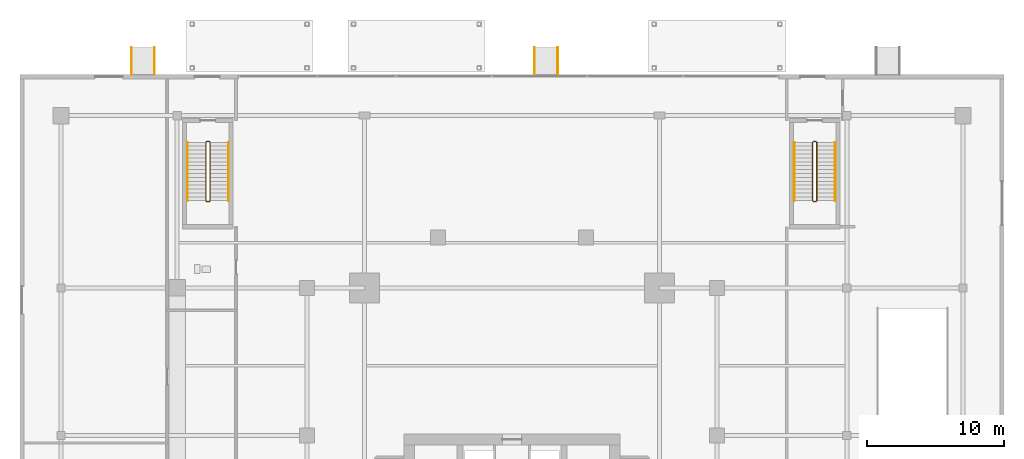
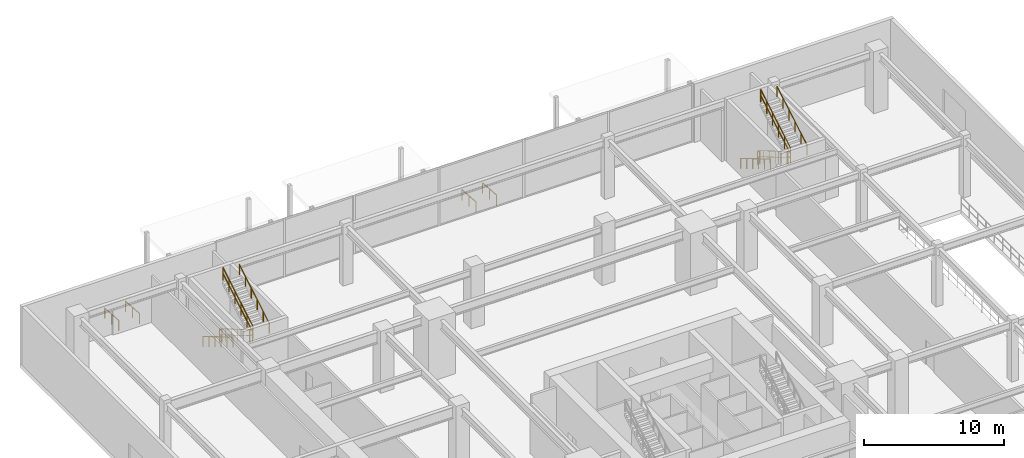
# One storey, part 25 of 28: 16 railings.
"""IFC4 building model written with IfcOpenShell, lengths in metres."""

from ifc_helpers import new_model, si_unit, direction, frame, origin, origin_2d, place, context, subcontext, project, spatial, circle, extrude, material, layer, layer_set, type_object, element, save


model = new_model("IFC4")

# Units and contexts
model_context = context("Model", 3, precision=1e-05, world=origin(), true_north=direction((0.0, 1.0)))
body_context = subcontext(model_context, "Body", "Model", "MODEL_VIEW")
ifc_project = project(units=[si_unit("LENGTHUNIT", "METRE"), si_unit("AREAUNIT", "SQUARE_METRE"), si_unit("VOLUMEUNIT", "CUBIC_METRE"), si_unit("PLANEANGLEUNIT", "RADIAN"), si_unit("MASSUNIT", "GRAM", prefix="KILO")], contexts=[model_context])

# Site, building, storey
site_placement = place(None, origin())
site = spatial("IfcSite", under=ifc_project, at=site_placement, CompositionType="ELEMENT")
building_placement = place(site_placement, origin())
building = spatial("IfcBuilding", under=site, at=building_placement, Name="Krantzveldt Concourse Tower", CompositionType="ELEMENT")
storey_placement = place(building_placement, origin())
storey = spatial("IfcBuildingStorey", under=building, at=storey_placement, Name="L00", CompositionType="ELEMENT", Elevation=0.0)

# Railings
ifc_material = material(Name="Stainless steel 316L", Category="steel")
ifc_layer_1 = layer(ifc_material, 0.06005859375, Name="Stainless steel 316L", Category="steel")
ifc_layer_set_1 = layer_set([ifc_layer_1], Name="Stainless steel 316L (RL-GUARD-1120)")
railing_type_1 = type_object("IfcRailingType", Name="RL-GUARD-1120", PredefinedType="GUARDRAIL", material=ifc_layer_set_1)
railing_1_placement = place(storey_placement, frame((13.60009765625, 48.14990234375, 0.168701171875)))
element("IfcRailing", 1, at=railing_1_placement, inside=storey, type_object=railing_type_1, Name="L00 ST-3 stair guard 1", PredefinedType="GUARDRAIL", context=body_context, shape_type="SweptSolid", body=[
    extrude(circle(Radius=0.02392578125, at=origin_2d()), frame((0.0, 0.0, 1.076171875), z_axis=(0.0, -0.860470286479, 0.509500624227), x_axis=(1.0, 0.0, 0.0)), (0.0, 0.0, 1.0), 4.968017578125),
    extrude(circle(Radius=0.02392578125, at=origin_2d()), frame((0.0, 0.0, 0.550048828125), z_axis=(0.0, -0.860470286479, 0.509500624227), x_axis=(1.0, 0.0, 0.0)), (0.0, 0.0, 1.0), 4.968017578125),
    extrude(circle(Radius=0.02099609375, at=origin_2d()), origin(), (0.0, 0.0, 1.0), 1.052001953125),
    extrude(circle(Radius=0.02099609375, at=origin_2d()), frame((0.0, -0.85498046875, 0.50634765625)), (0.0, 0.0, 1.0), 1.052001953125),
    extrude(circle(Radius=0.02099609375, at=origin_2d()), frame((0.0, -1.7099609375, 1.012451171875)), (0.0, 0.0, 1.0), 1.052001953125),
    extrude(circle(Radius=0.02099609375, at=origin_2d()), frame((0.0, -2.56494140625, 1.518798828125)), (0.0, 0.0, 1.0), 1.052001953125),
    extrude(circle(Radius=0.02099609375, at=origin_2d()), frame((0.0, -3.419921875, 2.02490234375)), (0.0, 0.0, 1.0), 1.052001953125),
    extrude(circle(Radius=0.02099609375, at=origin_2d()), frame((0.0, -4.27490234375, 2.53125)), (0.0, 0.0, 1.0), 1.052001953125),
])
railing_2_placement = place(storey_placement, frame((13.64990234375, 43.824951171875, 2.699951171875)))
element("IfcRailing", 2, at=railing_2_placement, inside=storey, type_object=railing_type_1, Name="L00 ST-3 stair guard 2", PredefinedType="GUARDRAIL", context=body_context, shape_type="SweptSolid", body=[
    extrude(circle(Radius=0.02392578125, at=origin_2d()), frame((0.0, 0.0, 1.076171875), z_axis=(1.0, 0.0, 0.0), x_axis=(0.0, 1.0, 0.0)), (0.0, 0.0, 1.0), 0.2001953125),
    extrude(circle(Radius=0.02392578125, at=origin_2d()), frame((0.0, 0.0, 0.550048828125), z_axis=(1.0, 0.0, 0.0), x_axis=(0.0, 1.0, 0.0)), (0.0, 0.0, 1.0), 0.2001953125),
    extrude(circle(Radius=0.02099609375, at=origin_2d()), origin(), (0.0, 0.0, 1.0), 1.052001953125),
    extrude(circle(Radius=0.02099609375, at=origin_2d()), frame((0.2001953125, 0.0, 0.0)), (0.0, 0.0, 1.0), 1.052001953125),
])
railing_3_placement = place(storey_placement, frame((13.89990234375, 43.875, 2.86865234375)))
element("IfcRailing", 3, at=railing_3_placement, inside=storey, type_object=railing_type_1, Name="L00 ST-3 stair guard 3", PredefinedType="GUARDRAIL", context=body_context, shape_type="SweptSolid", body=[
    extrude(circle(Radius=0.02392578125, at=origin_2d()), frame((0.0, 0.0, 1.076171875), z_axis=(0.0, 0.860470286479, 0.509500624227), x_axis=(-1.0, 0.0, 0.0)), (0.0, 0.0, 1.0), 4.968017578125),
    extrude(circle(Radius=0.02392578125, at=origin_2d()), frame((0.0, 0.0, 0.550048828125), z_axis=(0.0, 0.860470286479, 0.509500624227), x_axis=(-1.0, 0.0, 0.0)), (0.0, 0.0, 1.0), 4.968017578125),
    extrude(circle(Radius=0.02099609375, at=origin_2d()), origin(), (0.0, 0.0, 1.0), 1.052001953125),
    extrude(circle(Radius=0.02099609375, at=origin_2d()), frame((0.0, 0.85498046875, 0.50634765625)), (0.0, 0.0, 1.0), 1.052001953125),
    extrude(circle(Radius=0.02099609375, at=origin_2d()), frame((0.0, 1.7099609375, 1.012451171875)), (0.0, 0.0, 1.0), 1.052001953125),
    extrude(circle(Radius=0.02099609375, at=origin_2d()), frame((0.0, 2.56494140625, 1.518798828125)), (0.0, 0.0, 1.0), 1.052001953125),
    extrude(circle(Radius=0.02099609375, at=origin_2d()), frame((0.0, 3.419921875, 2.02490234375)), (0.0, 0.0, 1.0), 1.052001953125),
    extrude(circle(Radius=0.02099609375, at=origin_2d()), frame((0.0, 4.27490234375, 2.53125)), (0.0, 0.0, 1.0), 1.052001953125),
])
railing_4_placement = place(storey_placement, frame((13.64990234375, 48.199951171875, 0.0)))
element("IfcRailing", 4, at=railing_4_placement, inside=storey, type_object=railing_type_1, Name="L00 ST-3 stair guard 4", PredefinedType="GUARDRAIL", context=body_context, shape_type="SweptSolid", body=[
    extrude(circle(Radius=0.02392578125, at=origin_2d()), frame((0.0, 0.0, 1.076171875), z_axis=(1.0, 0.0, 0.0), x_axis=(0.0, 1.0, 0.0)), (0.0, 0.0, 1.0), 0.2001953125),
    extrude(circle(Radius=0.02392578125, at=origin_2d()), frame((0.0, 0.0, 0.550048828125), z_axis=(1.0, 0.0, 0.0), x_axis=(0.0, 1.0, 0.0)), (0.0, 0.0, 1.0), 0.2001953125),
    extrude(circle(Radius=0.02099609375, at=origin_2d()), origin(), (0.0, 0.0, 1.0), 1.052001953125),
    extrude(circle(Radius=0.02099609375, at=origin_2d()), frame((0.2001953125, 0.0, 0.0)), (0.0, 0.0, 1.0), 1.052001953125),
])
railing_5_placement = place(storey_placement, frame((58.0, 48.14990234375, 0.168701171875)))
element("IfcRailing", 5, at=railing_5_placement, inside=storey, type_object=railing_type_1, Name="L00 ST-4 stair guard 1", PredefinedType="GUARDRAIL", context=body_context, shape_type="SweptSolid", body=[
    extrude(circle(Radius=0.02392578125, at=origin_2d()), frame((0.0, 0.0, 1.076171875), z_axis=(0.0, -0.860470286479, 0.509500624227), x_axis=(1.0, 0.0, 0.0)), (0.0, 0.0, 1.0), 4.968017578125),
    extrude(circle(Radius=0.02392578125, at=origin_2d()), frame((0.0, 0.0, 0.550048828125), z_axis=(0.0, -0.860470286479, 0.509500624227), x_axis=(1.0, 0.0, 0.0)), (0.0, 0.0, 1.0), 4.968017578125),
    extrude(circle(Radius=0.02099609375, at=origin_2d()), origin(), (0.0, 0.0, 1.0), 1.052001953125),
    extrude(circle(Radius=0.02099609375, at=origin_2d()), frame((0.0, -0.85498046875, 0.50634765625)), (0.0, 0.0, 1.0), 1.052001953125),
    extrude(circle(Radius=0.02099609375, at=origin_2d()), frame((0.0, -1.7099609375, 1.012451171875)), (0.0, 0.0, 1.0), 1.052001953125),
    extrude(circle(Radius=0.02099609375, at=origin_2d()), frame((0.0, -2.56494140625, 1.518798828125)), (0.0, 0.0, 1.0), 1.052001953125),
    extrude(circle(Radius=0.02099609375, at=origin_2d()), frame((0.0, -3.419921875, 2.02490234375)), (0.0, 0.0, 1.0), 1.052001953125),
    extrude(circle(Radius=0.02099609375, at=origin_2d()), frame((0.0, -4.27490234375, 2.53125)), (0.0, 0.0, 1.0), 1.052001953125),
])
railing_6_placement = place(storey_placement, frame((58.050048828125, 43.824951171875, 2.699951171875)))
element("IfcRailing", 6, at=railing_6_placement, inside=storey, type_object=railing_type_1, Name="L00 ST-4 stair guard 2", PredefinedType="GUARDRAIL", context=body_context, shape_type="SweptSolid", body=[
    extrude(circle(Radius=0.02392578125, at=origin_2d()), frame((0.0, 0.0, 1.076171875), z_axis=(1.0, 0.0, 0.0), x_axis=(0.0, 1.0, 0.0)), (0.0, 0.0, 1.0), 0.199951171875),
    extrude(circle(Radius=0.02392578125, at=origin_2d()), frame((0.0, 0.0, 0.550048828125), z_axis=(1.0, 0.0, 0.0), x_axis=(0.0, 1.0, 0.0)), (0.0, 0.0, 1.0), 0.199951171875),
    extrude(circle(Radius=0.02099609375, at=origin_2d()), origin(), (0.0, 0.0, 1.0), 1.052001953125),
    extrude(circle(Radius=0.02099609375, at=origin_2d()), frame((0.199951171875, 0.0, 0.0)), (0.0, 0.0, 1.0), 1.052001953125),
])
railing_7_placement = place(storey_placement, frame((58.300048828125, 43.875, 2.86865234375)))
element("IfcRailing", 7, at=railing_7_placement, inside=storey, type_object=railing_type_1, Name="L00 ST-4 stair guard 3", PredefinedType="GUARDRAIL", context=body_context, shape_type="SweptSolid", body=[
    extrude(circle(Radius=0.02392578125, at=origin_2d()), frame((0.0, 0.0, 1.076171875), z_axis=(0.0, 0.860470286479, 0.509500624227), x_axis=(-1.0, 0.0, 0.0)), (0.0, 0.0, 1.0), 4.968017578125),
    extrude(circle(Radius=0.02392578125, at=origin_2d()), frame((0.0, 0.0, 0.550048828125), z_axis=(0.0, 0.860470286479, 0.509500624227), x_axis=(-1.0, 0.0, 0.0)), (0.0, 0.0, 1.0), 4.968017578125),
    extrude(circle(Radius=0.02099609375, at=origin_2d()), origin(), (0.0, 0.0, 1.0), 1.052001953125),
    extrude(circle(Radius=0.02099609375, at=origin_2d()), frame((0.0, 0.85498046875, 0.50634765625)), (0.0, 0.0, 1.0), 1.052001953125),
    extrude(circle(Radius=0.02099609375, at=origin_2d()), frame((0.0, 1.7099609375, 1.012451171875)), (0.0, 0.0, 1.0), 1.052001953125),
    extrude(circle(Radius=0.02099609375, at=origin_2d()), frame((0.0, 2.56494140625, 1.518798828125)), (0.0, 0.0, 1.0), 1.052001953125),
    extrude(circle(Radius=0.02099609375, at=origin_2d()), frame((0.0, 3.419921875, 2.02490234375)), (0.0, 0.0, 1.0), 1.052001953125),
    extrude(circle(Radius=0.02099609375, at=origin_2d()), frame((0.0, 4.27490234375, 2.53125)), (0.0, 0.0, 1.0), 1.052001953125),
])
railing_8_placement = place(storey_placement, frame((58.050048828125, 48.199951171875, 0.0)))
element("IfcRailing", 8, at=railing_8_placement, inside=storey, type_object=railing_type_1, Name="L00 ST-4 stair guard 4", PredefinedType="GUARDRAIL", context=body_context, shape_type="SweptSolid", body=[
    extrude(circle(Radius=0.02392578125, at=origin_2d()), frame((0.0, 0.0, 1.076171875), z_axis=(1.0, 0.0, 0.0), x_axis=(0.0, 1.0, 0.0)), (0.0, 0.0, 1.0), 0.199951171875),
    extrude(circle(Radius=0.02392578125, at=origin_2d()), frame((0.0, 0.0, 0.550048828125), z_axis=(1.0, 0.0, 0.0), x_axis=(0.0, 1.0, 0.0)), (0.0, 0.0, 1.0), 0.199951171875),
    extrude(circle(Radius=0.02099609375, at=origin_2d()), origin(), (0.0, 0.0, 1.0), 1.052001953125),
    extrude(circle(Radius=0.02099609375, at=origin_2d()), frame((0.199951171875, 0.0, 0.0)), (0.0, 0.0, 1.0), 1.052001953125),
])
ifc_layer_2 = layer(ifc_material, 0.050048828125, Name="Stainless steel 316L", Category="steel")
ifc_layer_set_2 = layer_set([ifc_layer_2], Name="Stainless steel 316L (RL-HANDRAIL-920)")
railing_type_2 = type_object("IfcRailingType", Name="RL-HANDRAIL-920", PredefinedType="HANDRAIL", material=ifc_layer_set_2)
railing_9_placement = place(storey_placement, frame((12.25, 48.14990234375, 0.168701171875)))
element("IfcRailing", 9, at=railing_9_placement, inside=storey, type_object=railing_type_2, Name="L00 ST-3 stair handrail 1", PredefinedType="HANDRAIL", context=body_context, shape_type="SweptSolid", body=[
    extrude(circle(Radius=0.02392578125, at=origin_2d()), frame((0.0, 0.0, 0.8759765625), z_axis=(0.0, -0.860470286479, 0.509500624227), x_axis=(1.0, 0.0, 0.0)), (0.0, 0.0, 1.0), 4.968017578125),
    extrude(circle(Radius=0.02099609375, at=origin_2d()), origin(), (0.0, 0.0, 1.0), 0.851806640625),
    extrude(circle(Radius=0.02099609375, at=origin_2d()), frame((0.0, -0.85498046875, 0.50634765625)), (0.0, 0.0, 1.0), 0.851806640625),
    extrude(circle(Radius=0.02099609375, at=origin_2d()), frame((0.0, -1.7099609375, 1.012451171875)), (0.0, 0.0, 1.0), 0.851806640625),
    extrude(circle(Radius=0.02099609375, at=origin_2d()), frame((0.0, -2.56494140625, 1.518798828125)), (0.0, 0.0, 1.0), 0.851806640625),
    extrude(circle(Radius=0.02099609375, at=origin_2d()), frame((0.0, -3.419921875, 2.02490234375)), (0.0, 0.0, 1.0), 0.851806640625),
    extrude(circle(Radius=0.02099609375, at=origin_2d()), frame((0.0, -4.27490234375, 2.53125)), (0.0, 0.0, 1.0), 0.851806640625),
])
railing_10_placement = place(storey_placement, frame((15.25, 43.875, 2.86865234375)))
element("IfcRailing", 10, at=railing_10_placement, inside=storey, type_object=railing_type_2, Name="L00 ST-3 stair handrail 2", PredefinedType="HANDRAIL", context=body_context, shape_type="SweptSolid", body=[
    extrude(circle(Radius=0.02392578125, at=origin_2d()), frame((0.0, 0.0, 0.8759765625), z_axis=(0.0, 0.860470286479, 0.509500624227), x_axis=(-1.0, 0.0, 0.0)), (0.0, 0.0, 1.0), 4.968017578125),
    extrude(circle(Radius=0.02099609375, at=origin_2d()), origin(), (0.0, 0.0, 1.0), 0.851806640625),
    extrude(circle(Radius=0.02099609375, at=origin_2d()), frame((0.0, 0.85498046875, 0.50634765625)), (0.0, 0.0, 1.0), 0.851806640625),
    extrude(circle(Radius=0.02099609375, at=origin_2d()), frame((0.0, 1.7099609375, 1.012451171875)), (0.0, 0.0, 1.0), 0.851806640625),
    extrude(circle(Radius=0.02099609375, at=origin_2d()), frame((0.0, 2.56494140625, 1.518798828125)), (0.0, 0.0, 1.0), 0.851806640625),
    extrude(circle(Radius=0.02099609375, at=origin_2d()), frame((0.0, 3.419921875, 2.02490234375)), (0.0, 0.0, 1.0), 0.851806640625),
    extrude(circle(Radius=0.02099609375, at=origin_2d()), frame((0.0, 4.27490234375, 2.53125)), (0.0, 0.0, 1.0), 0.851806640625),
])
railing_11_placement = place(storey_placement, frame((56.64990234375, 48.14990234375, 0.168701171875)))
element("IfcRailing", 11, at=railing_11_placement, inside=storey, type_object=railing_type_2, Name="L00 ST-4 stair handrail 1", PredefinedType="HANDRAIL", context=body_context, shape_type="SweptSolid", body=[
    extrude(circle(Radius=0.02392578125, at=origin_2d()), frame((0.0, 0.0, 0.8759765625), z_axis=(0.0, -0.860470286479, 0.509500624227), x_axis=(1.0, 0.0, 0.0)), (0.0, 0.0, 1.0), 4.968017578125),
    extrude(circle(Radius=0.02099609375, at=origin_2d()), origin(), (0.0, 0.0, 1.0), 0.851806640625),
    extrude(circle(Radius=0.02099609375, at=origin_2d()), frame((0.0, -0.85498046875, 0.50634765625)), (0.0, 0.0, 1.0), 0.851806640625),
    extrude(circle(Radius=0.02099609375, at=origin_2d()), frame((0.0, -1.7099609375, 1.012451171875)), (0.0, 0.0, 1.0), 0.851806640625),
    extrude(circle(Radius=0.02099609375, at=origin_2d()), frame((0.0, -2.56494140625, 1.518798828125)), (0.0, 0.0, 1.0), 0.851806640625),
    extrude(circle(Radius=0.02099609375, at=origin_2d()), frame((0.0, -3.419921875, 2.02490234375)), (0.0, 0.0, 1.0), 0.851806640625),
    extrude(circle(Radius=0.02099609375, at=origin_2d()), frame((0.0, -4.27490234375, 2.53125)), (0.0, 0.0, 1.0), 0.851806640625),
])
railing_12_placement = place(storey_placement, frame((59.64990234375, 43.875, 2.86865234375)))
element("IfcRailing", 12, at=railing_12_placement, inside=storey, type_object=railing_type_2, Name="L00 ST-4 stair handrail 2", PredefinedType="HANDRAIL", context=body_context, shape_type="SweptSolid", body=[
    extrude(circle(Radius=0.02392578125, at=origin_2d()), frame((0.0, 0.0, 0.8759765625), z_axis=(0.0, 0.860470286479, 0.509500624227), x_axis=(-1.0, 0.0, 0.0)), (0.0, 0.0, 1.0), 4.968017578125),
    extrude(circle(Radius=0.02099609375, at=origin_2d()), origin(), (0.0, 0.0, 1.0), 0.851806640625),
    extrude(circle(Radius=0.02099609375, at=origin_2d()), frame((0.0, 0.85498046875, 0.50634765625)), (0.0, 0.0, 1.0), 0.851806640625),
    extrude(circle(Radius=0.02099609375, at=origin_2d()), frame((0.0, 1.7099609375, 1.012451171875)), (0.0, 0.0, 1.0), 0.851806640625),
    extrude(circle(Radius=0.02099609375, at=origin_2d()), frame((0.0, 2.56494140625, 1.518798828125)), (0.0, 0.0, 1.0), 0.851806640625),
    extrude(circle(Radius=0.02099609375, at=origin_2d()), frame((0.0, 3.419921875, 2.02490234375)), (0.0, 0.0, 1.0), 0.851806640625),
    extrude(circle(Radius=0.02099609375, at=origin_2d()), frame((0.0, 4.27490234375, 2.53125)), (0.0, 0.0, 1.0), 0.851806640625),
])
for number, where, name in (
    (13, (8.14990234375, 55.10009765625, -0.14990234375), "RMP-L00-ACC01-HRL"),
    (14, (9.85009765625, 55.10009765625, -0.14990234375), "RMP-L00-ACC01-HRR"),
    (15, (37.64990234375, 55.10009765625, -0.14990234375), "RMP-L00-ACC02-HRL"),
    (16, (39.35009765625, 55.10009765625, -0.14990234375), "RMP-L00-ACC02-HRR"),
):
    element("IfcRailing", number, at=place(storey_placement, frame(where)), inside=storey, type_object=railing_type_2, Name=name, PredefinedType="HANDRAIL", context=body_context, shape_type="SweptSolid", body=[
        extrude(circle(Radius=0.02392578125, at=origin_2d()), frame((0.0, 0.0, 0.89599609375), z_axis=(0.0, -0.997202940152, 0.074741528962), x_axis=(1.0, 0.0, 0.0)), (0.0, 0.0, 1.0), 2.005615234375),
        extrude(circle(Radius=0.02099609375, at=origin_2d()), origin(), (0.0, 0.0, 1.0), 0.871826171875),
        extrude(circle(Radius=0.02099609375, at=origin_2d()), frame((0.0, -1.0, 0.074951171875)), (0.0, 0.0, 1.0), 0.871826171875),
        extrude(circle(Radius=0.02099609375, at=origin_2d()), frame((0.0, -2.0, 0.14990234375)), (0.0, 0.0, 1.0), 0.871826171875),
    ])

save(model, "model.ifc")
